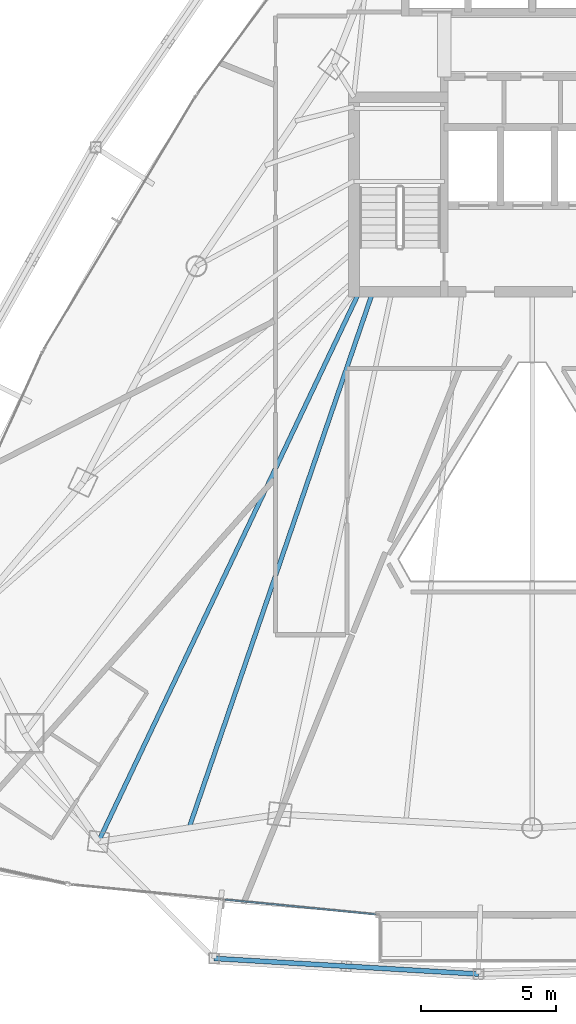
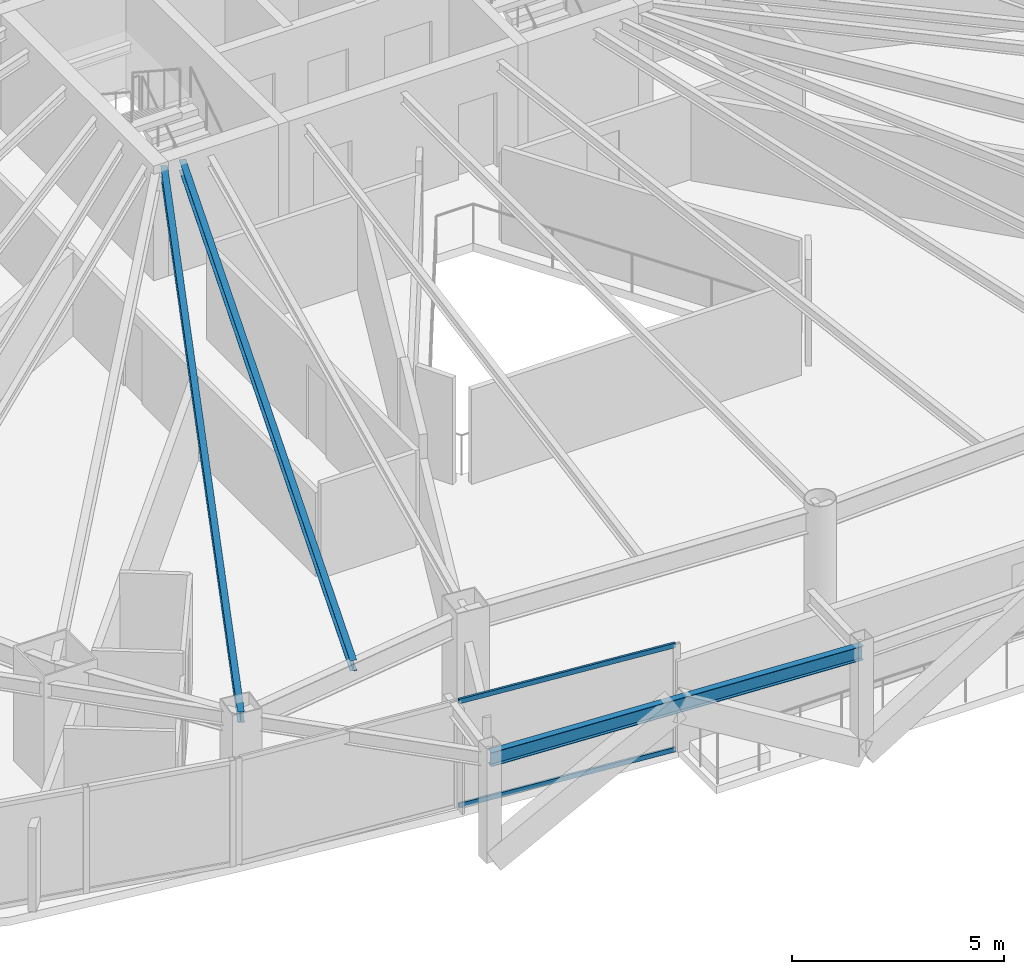
# One storey, part 6 of 31: 3 beams, 2 members, 1 element without a shape of its own.
"""IFC4 building model written with IfcOpenShell, lengths in metres."""

from ifc_helpers import new_model, si_unit, direction, frame, origin, origin_2d, place, context, subcontext, project, spatial, hollow_rectangle, i_section, extrude, material, layer, layer_set, material_profile, profile_set, type_object, element, aggregate, save


model = new_model("IFC4")

# Units and contexts
model_context = context("Model", 3, precision=1e-05, world=origin(), true_north=direction((0.0, 1.0)))
body_context = subcontext(model_context, "Body", "Model", "MODEL_VIEW")
ifc_project = project(units=[si_unit("LENGTHUNIT", "METRE"), si_unit("AREAUNIT", "SQUARE_METRE"), si_unit("VOLUMEUNIT", "CUBIC_METRE"), si_unit("PLANEANGLEUNIT", "RADIAN"), si_unit("MASSUNIT", "GRAM", prefix="KILO")], contexts=[model_context])

# Site, building, storey
site_placement = place(None, origin())
site = spatial("IfcSite", under=ifc_project, at=site_placement, CompositionType="ELEMENT")
building_placement = place(site_placement, origin())
building = spatial("IfcBuilding", under=site, at=building_placement, Name="Orvanel Arch Residences", CompositionType="ELEMENT")
storey_placement = place(building_placement, frame((0.0, 0.0, 150.64990234375)))
storey = spatial("IfcBuildingStorey", under=building, at=storey_placement, Name="L42", CompositionType="ELEMENT", Elevation=150.64990234375)

# Beams
ifc_material_1 = material(Name="Structural steel AS/NZS 3679.1 Grade 300 (300 MPa)", Category="steel")
ifc_material_profile_1 = material_profile(ifc_material_1, i_section(OverallWidth=0.1650390625, OverallDepth=0.303955078125, WebThickness=0.006103515625, FlangeThickness=0.01025390625, at=origin_2d()), Name="310UB40.4")
ifc_profile_set_1 = profile_set([ifc_material_profile_1], Name="Structural steel AS/NZS 3679.1 Grade 300 (300 MPa)")
beam_type_1 = type_object("IfcBeamType", Name="BJ-310UB", PredefinedType="JOIST", material=ifc_profile_set_1)
beam_1_placement = place(storey_placement, frame((26.60009765625, 26.699951171875, 2.908203125), z_axis=(-0.428614365266, -0.903487534993, 0.0), x_axis=(0.903487534993, -0.428614365266, 0.0)))
element("IfcBeam", 1, at=beam_1_placement, inside=storey, type_object=beam_type_1, Name="L42 MSW Wing Floor Joist", PredefinedType="JOIST", context=body_context, shape_type="SweptSolid", body=[
    extrude(i_section(OverallWidth=0.1650390625, OverallDepth=0.303955078125, WebThickness=0.006103515625, FlangeThickness=0.01025390625, at=origin_2d()), origin(), (0.0, 0.0, 1.0), 22.535888671875),
])
beam_2_placement = place(storey_placement, frame((27.10009765625, 26.699951171875, 2.908203125), z_axis=(-0.324257108963, -0.945968988544, 0.0), x_axis=(0.945968988544, -0.324257108963, 0.0)))
element("IfcBeam", 2, at=beam_2_placement, inside=storey, type_object=beam_type_1, Name="L42 JADD1 Wing Floor Joist", PredefinedType="JOIST", context=body_context, shape_type="SweptSolid", body=[
    extrude(i_section(OverallWidth=0.1650390625, OverallDepth=0.303955078125, WebThickness=0.006103515625, FlangeThickness=0.01025390625, at=origin_2d()), origin(), (0.0, 0.0, 1.0), 20.987060546875),
])
ifc_material_profile_2 = material_profile(ifc_material_1, i_section(OverallWidth=0.177978515625, OverallDepth=0.406005859375, WebThickness=0.0078125, FlangeThickness=0.0126953125, at=origin_2d()), Name="410UB59.7")
ifc_profile_set_2 = profile_set([ifc_material_profile_2], Name="Structural steel AS/NZS 3679.1 Grade 300 (300 MPa)")
beam_type_2 = type_object("IfcBeamType", Name="OB-410UB-EXT", PredefinedType="SPANDREL", material=ifc_profile_set_2)
beam_3_placement = place(storey_placement, frame((21.218994140625, 2.01611328125, 2.857177734375), z_axis=(0.998261301792, -0.058943815147, 0.0), x_axis=(0.058943815147, 0.998261301792, 0.0)))
element("IfcBeam", 3, at=beam_3_placement, inside=storey, type_object=beam_type_2, Name="L42 Outer Perimeter Floor Ring Beam 05", PredefinedType="SPANDREL", context=body_context, shape_type="SweptSolid", body=[
    extrude(i_section(OverallWidth=0.177978515625, OverallDepth=0.406005859375, WebThickness=0.0078125, FlangeThickness=0.0126953125, at=origin_2d()), origin(), (0.0, 0.0, 1.0), 9.80810546875),
])

# Curtain wall, members
ifc_material_2 = material(Name="Bronze-anodised aluminium AA6063-T6", Category="aluminium")
ifc_layer = layer(ifc_material_2, 0.179931640625)
ifc_layer_set = layer_set([ifc_layer], Name="Bronze-anodised aluminium AA6063-T6")
curtain_wall_type = type_object("IfcCurtainWallType", Name="CW3-MID-SYS", PredefinedType="NOTDEFINED", material=ifc_layer_set)
curtain_wall_placement = place(storey_placement, origin())
curtain_wall = element("IfcCurtainWall", 4, at=curtain_wall_placement, inside=storey, type_object=curtain_wall_type, Name="L42 CW3-MID-SYS Unitised Curtain Wall", PredefinedType="NOTDEFINED")
ifc_material_profile_3 = material_profile(ifc_material_2, hollow_rectangle(XDim=0.06005859375, YDim=0.135009765625, WallThickness=0.00390625, at=origin_2d()), Name="ALU135x60x4")
ifc_profile_set_3 = profile_set([ifc_material_profile_3], Name="Bronze-anodised aluminium AA6063-T6")
member_type = type_object("IfcMemberType", Name="TRN-135x60", PredefinedType="USERDEFINED", material=ifc_profile_set_3)
member_1_placement = place(storey_placement, frame((21.626220703125, 4.194091796875, 0.030029296875), z_axis=(0.995278225692, -0.097063141629, 0.0), x_axis=(0.097063141629, 0.995278225692, 0.0)))
member_1 = element("IfcMember", 5, at=member_1_placement, type_object=member_type, Name="CW-S3 transom 2.1", ObjectType="TRANSOM", PredefinedType="USERDEFINED", context=body_context, shape_type="SweptSolid", body=[
    extrude(hollow_rectangle(XDim=0.06005859375, YDim=0.135009765625, WallThickness=0.00390625, at=origin_2d()), origin(), (0.0, 0.0, 1.0), 5.6064453125),
])
member_2_placement = place(storey_placement, frame((21.626220703125, 4.194091796875, 3.030029296875), z_axis=(0.995278225692, -0.097063141629, 0.0), x_axis=(0.097063141629, 0.995278225692, 0.0)))
member_2 = element("IfcMember", 6, at=member_2_placement, type_object=member_type, Name="CW-S3 transom 2.2", ObjectType="TRANSOM", PredefinedType="USERDEFINED", context=body_context, shape_type="SweptSolid", body=[
    extrude(hollow_rectangle(XDim=0.06005859375, YDim=0.135009765625, WallThickness=0.00390625, at=origin_2d()), origin(), (0.0, 0.0, 1.0), 5.6064453125),
])
aggregate(curtain_wall, [member_1, member_2])

save(model, "model.ifc")
